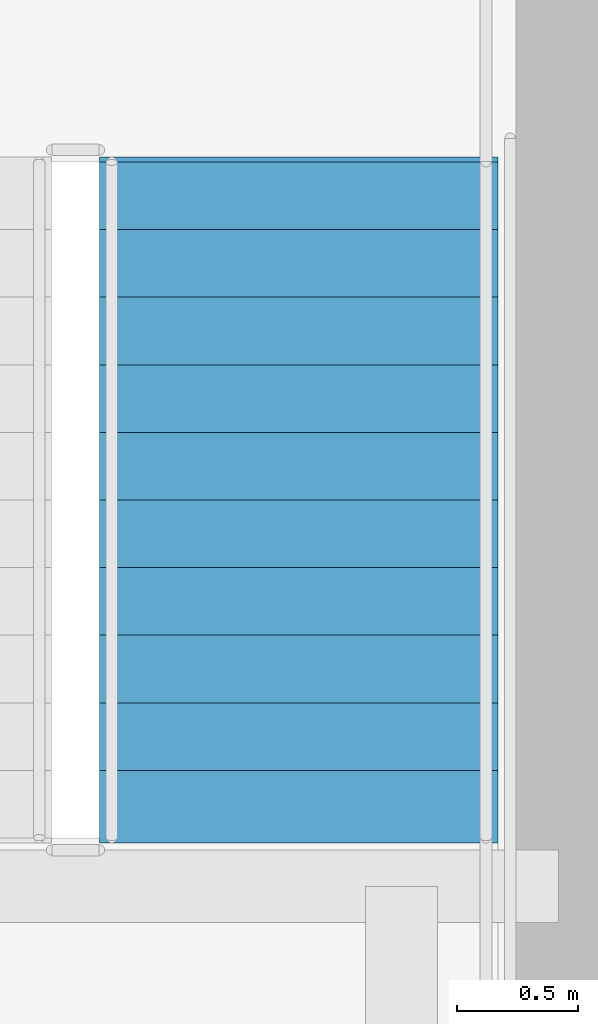
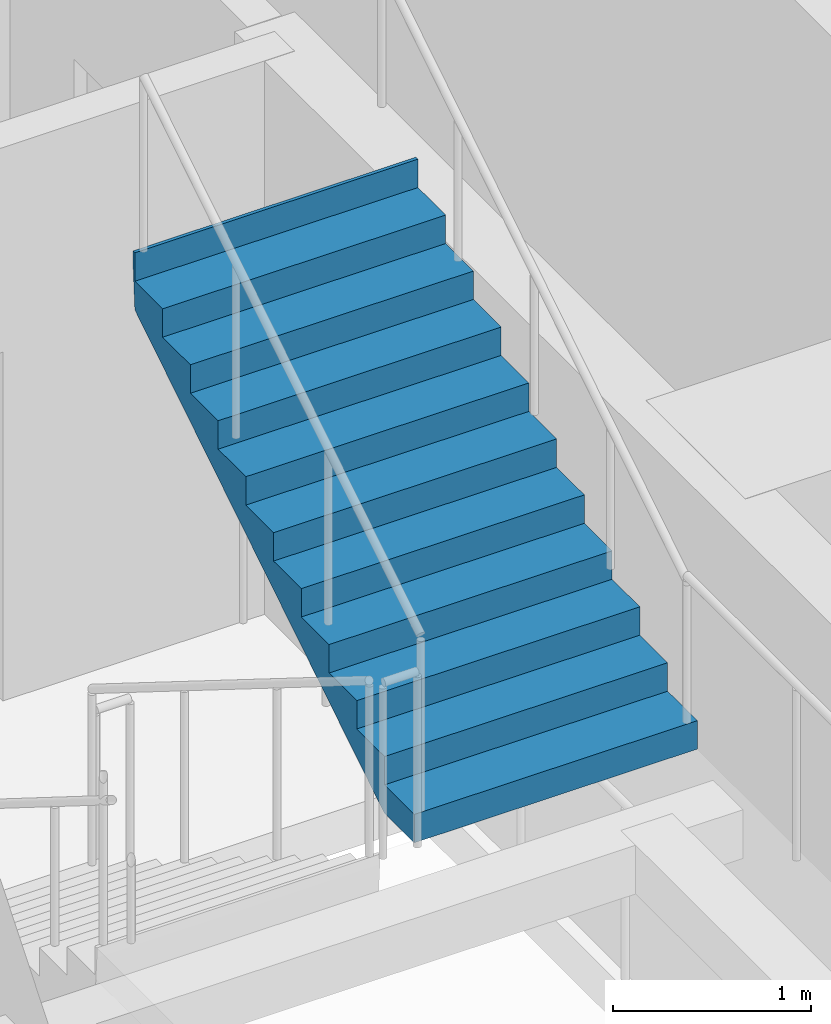
# One storey, part 34 of 39: 1 stair flight, 1 element without a shape of its own.
"""IFC4 building model written with IfcOpenShell, lengths in metres."""

from ifc_helpers import new_model, si_unit, direction, frame, origin, place, context, subcontext, project, spatial, polygons, material, type_object, element, aggregate, save


model = new_model("IFC4")

# Units and contexts
model_context = context("Model", 3, precision=1e-05, world=origin(), true_north=direction((0.0, 1.0)))
body_context = subcontext(model_context, "Body", "Model", "MODEL_VIEW")
ifc_project = project(units=[si_unit("LENGTHUNIT", "METRE"), si_unit("AREAUNIT", "SQUARE_METRE"), si_unit("VOLUMEUNIT", "CUBIC_METRE"), si_unit("PLANEANGLEUNIT", "RADIAN"), si_unit("MASSUNIT", "GRAM", prefix="KILO")], contexts=[model_context])

# Site, building, storey
site_placement = place(None, origin())
site = spatial("IfcSite", under=ifc_project, at=site_placement, CompositionType="ELEMENT")
building_placement = place(site_placement, origin())
building = spatial("IfcBuilding", under=site, at=building_placement, Name="Serunith Strait Residences", CompositionType="ELEMENT")
storey_placement = place(building_placement, frame((0.0, 0.0, 283.60009765625)))
storey = spatial("IfcBuildingStorey", under=building, at=storey_placement, Name="L71", CompositionType="ELEMENT", Elevation=283.60009765625)

# Stair, stair flight
ifc_material = material(Name="Concrete C50/60", Category="concrete")
stair_type = type_object("IfcStairType", Name="STR-CORE-2", PredefinedType="HALF_TURN_STAIR", material=ifc_material)
stair_placement = place(storey_placement, origin())
stair = element("IfcStair", 1, at=stair_placement, inside=storey, type_object=stair_type, Name="L71 Protected Escape Stair ST-2", PredefinedType="HALF_TURN_STAIR")
stair_flight_type = type_object("IfcStairFlightType", Name="FLT-CORE-2", PredefinedType="STRAIGHT", material=ifc_material)
stair_flight_placement = place(storey_placement, frame((40.324951171875, 20.570068359375, 1.9248046875), z_axis=(0.0, 0.0, 1.0), x_axis=(0.0, 1.0, 0.0)))
stair_flight = element("IfcStairFlight", 2, at=stair_flight_placement, type_object=stair_flight_type, Name="ST-2 flight 2", NumberOfRisers=11, NumberOfTreads=10, PredefinedType="STRAIGHT", RiserHeight=0.175, TreadLength=0.28, context=body_context, shape_type="Tessellation", body=[
    polygons([(-0.02001953125, -0.824951171875, 0.0), (-0.02001953125, -0.824951171875, 0.175048828125), (0.280029296875, -0.824951171875, 0.175048828125), (0.280029296875, -0.824951171875, 0.35009765625), (0.56005859375, -0.824951171875, 0.35009765625), (0.56005859375, -0.824951171875, 0.52490234375), (0.840087890625, -0.824951171875, 0.52490234375), (0.840087890625, -0.824951171875, 0.699951171875), (1.1201171875, -0.824951171875, 0.699951171875), (1.1201171875, -0.824951171875, 0.875), (1.39990234375, -0.824951171875, 0.875), (1.39990234375, -0.824951171875, 1.050048828125), (1.679931640625, -0.824951171875, 1.050048828125), (1.679931640625, -0.824951171875, 1.22509765625), (1.9599609375, -0.824951171875, 1.22509765625), (1.9599609375, -0.824951171875, 1.39990234375), (2.239990234375, -0.824951171875, 1.39990234375), (2.239990234375, -0.824951171875, 1.574951171875), (2.52001953125, -0.824951171875, 1.574951171875), (2.52001953125, -0.824951171875, 1.75), (2.800048828125, -0.824951171875, 1.75), (2.800048828125, -0.824951171875, 1.925048828125), (2.820068359375, -0.824951171875, 1.925048828125), (2.820068359375, -0.824951171875, 1.864990234375), (2.800048828125, -0.824951171875, 1.5732421875), (0.28271484375, -0.824951171875, 0.0), (-0.02001953125, -0.41259765625, 0.0), (-0.02001953125, -0.41259765625, 0.175048828125), (0.280029296875, -0.41259765625, 0.175048828125), (0.280029296875, -0.41259765625, 0.35009765625), (0.56005859375, -0.41259765625, 0.35009765625), (0.56005859375, -0.41259765625, 0.52490234375), (0.840087890625, -0.41259765625, 0.52490234375), (0.840087890625, -0.41259765625, 0.699951171875), (1.1201171875, -0.41259765625, 0.699951171875), (1.1201171875, -0.41259765625, 0.875), (1.39990234375, -0.41259765625, 0.875), (1.39990234375, -0.41259765625, 1.050048828125), (1.679931640625, -0.41259765625, 1.050048828125), (1.679931640625, -0.41259765625, 1.22509765625), (1.9599609375, -0.41259765625, 1.22509765625), (1.9599609375, -0.41259765625, 1.39990234375), (2.239990234375, -0.41259765625, 1.39990234375), (2.239990234375, -0.41259765625, 1.574951171875), (2.52001953125, -0.41259765625, 1.574951171875), (2.52001953125, -0.41259765625, 1.75), (2.800048828125, -0.41259765625, 1.75), (2.800048828125, -0.41259765625, 1.925048828125), (2.820068359375, -0.41259765625, 1.925048828125), (2.820068359375, -0.41259765625, 1.864990234375), (2.800048828125, -0.41259765625, 1.5732421875), (0.28271484375, -0.41259765625, 0.0), (-0.02001953125, 0.0, 0.0), (-0.02001953125, 0.0, 0.175048828125), (0.280029296875, 0.0, 0.175048828125), (0.280029296875, 0.0, 0.35009765625), (0.56005859375, 0.0, 0.35009765625), (0.56005859375, 0.0, 0.52490234375), (0.840087890625, 0.0, 0.52490234375), (0.840087890625, 0.0, 0.699951171875), (1.1201171875, 0.0, 0.699951171875), (1.1201171875, 0.0, 0.875), (1.39990234375, 0.0, 0.875), (1.39990234375, 0.0, 1.050048828125), (1.679931640625, 0.0, 1.050048828125), (1.679931640625, 0.0, 1.22509765625), (1.9599609375, 0.0, 1.22509765625), (1.9599609375, 0.0, 1.39990234375), (2.239990234375, 0.0, 1.39990234375), (2.239990234375, 0.0, 1.574951171875), (2.52001953125, 0.0, 1.574951171875), (2.52001953125, 0.0, 1.75), (2.800048828125, 0.0, 1.75), (2.800048828125, 0.0, 1.925048828125), (2.820068359375, 0.0, 1.925048828125), (2.820068359375, 0.0, 1.864990234375), (2.800048828125, 0.0, 1.5732421875), (0.28271484375, 0.0, 0.0), (-0.02001953125, 0.41259765625, 0.0), (-0.02001953125, 0.41259765625, 0.175048828125), (0.280029296875, 0.41259765625, 0.175048828125), (0.280029296875, 0.41259765625, 0.35009765625), (0.56005859375, 0.41259765625, 0.35009765625), (0.56005859375, 0.41259765625, 0.52490234375), (0.840087890625, 0.41259765625, 0.52490234375), (0.840087890625, 0.41259765625, 0.699951171875), (1.1201171875, 0.41259765625, 0.699951171875), (1.1201171875, 0.41259765625, 0.875), (1.39990234375, 0.41259765625, 0.875), (1.39990234375, 0.41259765625, 1.050048828125), (1.679931640625, 0.41259765625, 1.050048828125), (1.679931640625, 0.41259765625, 1.22509765625), (1.9599609375, 0.41259765625, 1.22509765625), (1.9599609375, 0.41259765625, 1.39990234375), (2.239990234375, 0.41259765625, 1.39990234375), (2.239990234375, 0.41259765625, 1.574951171875), (2.52001953125, 0.41259765625, 1.574951171875), (2.52001953125, 0.41259765625, 1.75), (2.800048828125, 0.41259765625, 1.75), (2.800048828125, 0.41259765625, 1.925048828125), (2.820068359375, 0.41259765625, 1.925048828125), (2.820068359375, 0.41259765625, 1.864990234375), (2.800048828125, 0.41259765625, 1.5732421875), (0.28271484375, 0.41259765625, 0.0), (-0.02001953125, 0.824951171875, 0.0), (-0.02001953125, 0.824951171875, 0.175048828125), (0.280029296875, 0.824951171875, 0.175048828125), (0.280029296875, 0.824951171875, 0.35009765625), (0.56005859375, 0.824951171875, 0.35009765625), (0.56005859375, 0.824951171875, 0.52490234375), (0.840087890625, 0.824951171875, 0.52490234375), (0.840087890625, 0.824951171875, 0.699951171875), (1.1201171875, 0.824951171875, 0.699951171875), (1.1201171875, 0.824951171875, 0.875), (1.39990234375, 0.824951171875, 0.875), (1.39990234375, 0.824951171875, 1.050048828125), (1.679931640625, 0.824951171875, 1.050048828125), (1.679931640625, 0.824951171875, 1.22509765625), (1.9599609375, 0.824951171875, 1.22509765625), (1.9599609375, 0.824951171875, 1.39990234375), (2.239990234375, 0.824951171875, 1.39990234375), (2.239990234375, 0.824951171875, 1.574951171875), (2.52001953125, 0.824951171875, 1.574951171875), (2.52001953125, 0.824951171875, 1.75), (2.800048828125, 0.824951171875, 1.75), (2.800048828125, 0.824951171875, 1.925048828125), (2.820068359375, 0.824951171875, 1.925048828125), (2.820068359375, 0.824951171875, 1.864990234375), (2.800048828125, 0.824951171875, 1.5732421875), (0.28271484375, 0.824951171875, 0.0)], [[[1, 2, 28, 27]], [[2, 3, 29, 28]], [[3, 4, 30, 29]], [[4, 5, 31, 30]], [[5, 6, 32, 31]], [[6, 7, 33, 32]], [[7, 8, 34, 33]], [[8, 9, 35, 34]], [[9, 10, 36, 35]], [[10, 11, 37, 36]], [[11, 12, 38, 37]], [[12, 13, 39, 38]], [[13, 14, 40, 39]], [[14, 15, 41, 40]], [[15, 16, 42, 41]], [[16, 17, 43, 42]], [[17, 18, 44, 43]], [[18, 19, 45, 44]], [[19, 20, 46, 45]], [[20, 21, 47, 46]], [[21, 22, 48, 47]], [[22, 23, 49, 48]], [[23, 24, 50, 49]], [[24, 25, 51, 50]], [[25, 26, 52, 51]], [[26, 1, 27, 52]], [[27, 28, 54, 53]], [[28, 29, 55, 54]], [[29, 30, 56, 55]], [[30, 31, 57, 56]], [[31, 32, 58, 57]], [[32, 33, 59, 58]], [[33, 34, 60, 59]], [[34, 35, 61, 60]], [[35, 36, 62, 61]], [[36, 37, 63, 62]], [[37, 38, 64, 63]], [[38, 39, 65, 64]], [[39, 40, 66, 65]], [[40, 41, 67, 66]], [[41, 42, 68, 67]], [[42, 43, 69, 68]], [[43, 44, 70, 69]], [[44, 45, 71, 70]], [[45, 46, 72, 71]], [[46, 47, 73, 72]], [[47, 48, 74, 73]], [[48, 49, 75, 74]], [[49, 50, 76, 75]], [[50, 51, 77, 76]], [[51, 52, 78, 77]], [[52, 27, 53, 78]], [[53, 54, 80, 79]], [[54, 55, 81, 80]], [[55, 56, 82, 81]], [[56, 57, 83, 82]], [[57, 58, 84, 83]], [[58, 59, 85, 84]], [[59, 60, 86, 85]], [[60, 61, 87, 86]], [[61, 62, 88, 87]], [[62, 63, 89, 88]], [[63, 64, 90, 89]], [[64, 65, 91, 90]], [[65, 66, 92, 91]], [[66, 67, 93, 92]], [[67, 68, 94, 93]], [[68, 69, 95, 94]], [[69, 70, 96, 95]], [[70, 71, 97, 96]], [[71, 72, 98, 97]], [[72, 73, 99, 98]], [[73, 74, 100, 99]], [[74, 75, 101, 100]], [[75, 76, 102, 101]], [[76, 77, 103, 102]], [[77, 78, 104, 103]], [[78, 53, 79, 104]], [[79, 80, 106, 105]], [[80, 81, 107, 106]], [[81, 82, 108, 107]], [[82, 83, 109, 108]], [[83, 84, 110, 109]], [[84, 85, 111, 110]], [[85, 86, 112, 111]], [[86, 87, 113, 112]], [[87, 88, 114, 113]], [[88, 89, 115, 114]], [[89, 90, 116, 115]], [[90, 91, 117, 116]], [[91, 92, 118, 117]], [[92, 93, 119, 118]], [[93, 94, 120, 119]], [[94, 95, 121, 120]], [[95, 96, 122, 121]], [[96, 97, 123, 122]], [[97, 98, 124, 123]], [[98, 99, 125, 124]], [[99, 100, 126, 125]], [[100, 101, 127, 126]], [[101, 102, 128, 127]], [[102, 103, 129, 128]], [[103, 104, 130, 129]], [[104, 79, 105, 130]], [[26, 25, 24, 23, 22, 21, 20, 19, 18, 17, 16, 15, 14, 13, 12, 11, 10, 9, 8, 7, 6, 5, 4, 3, 2, 1]], [[105, 106, 107, 108, 109, 110, 111, 112, 113, 114, 115, 116, 117, 118, 119, 120, 121, 122, 123, 124, 125, 126, 127, 128, 129, 130]]], closed=True),
])
aggregate(stair, [stair_flight])

save(model, "model.ifc")
